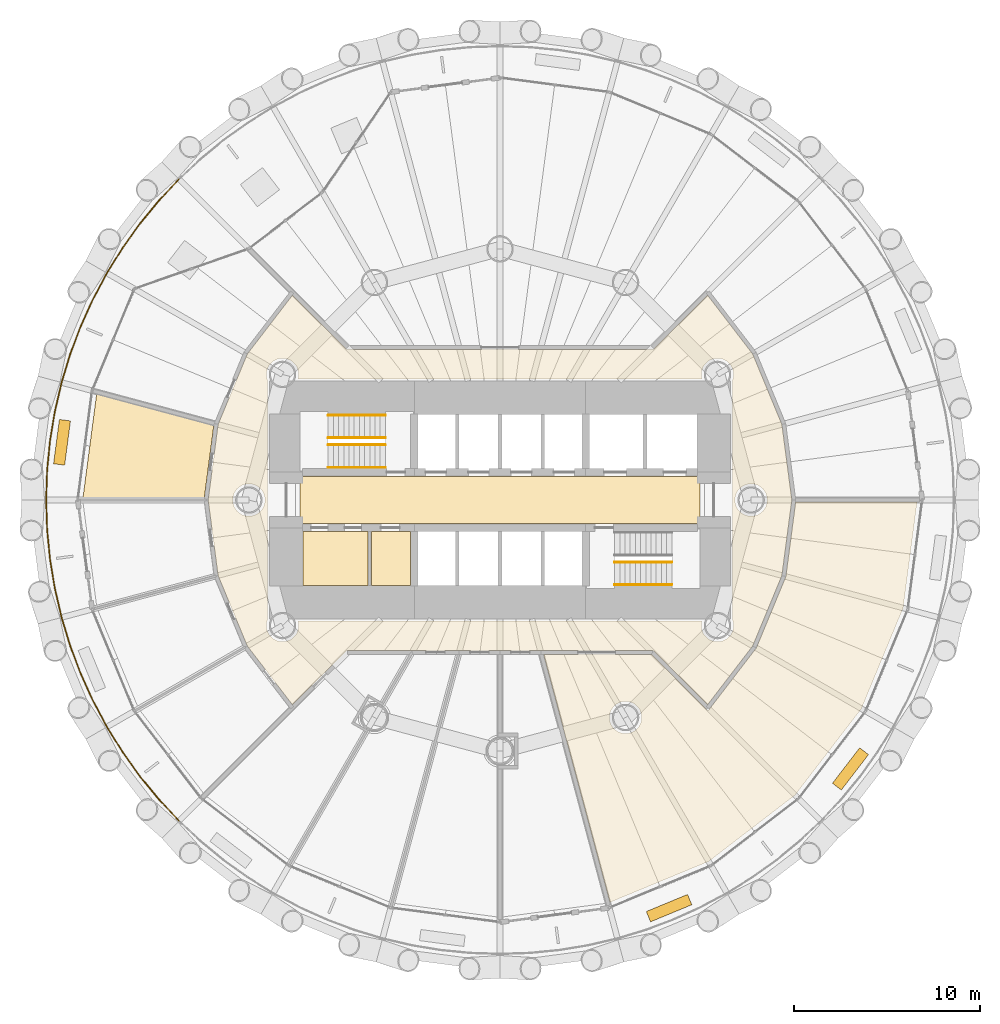
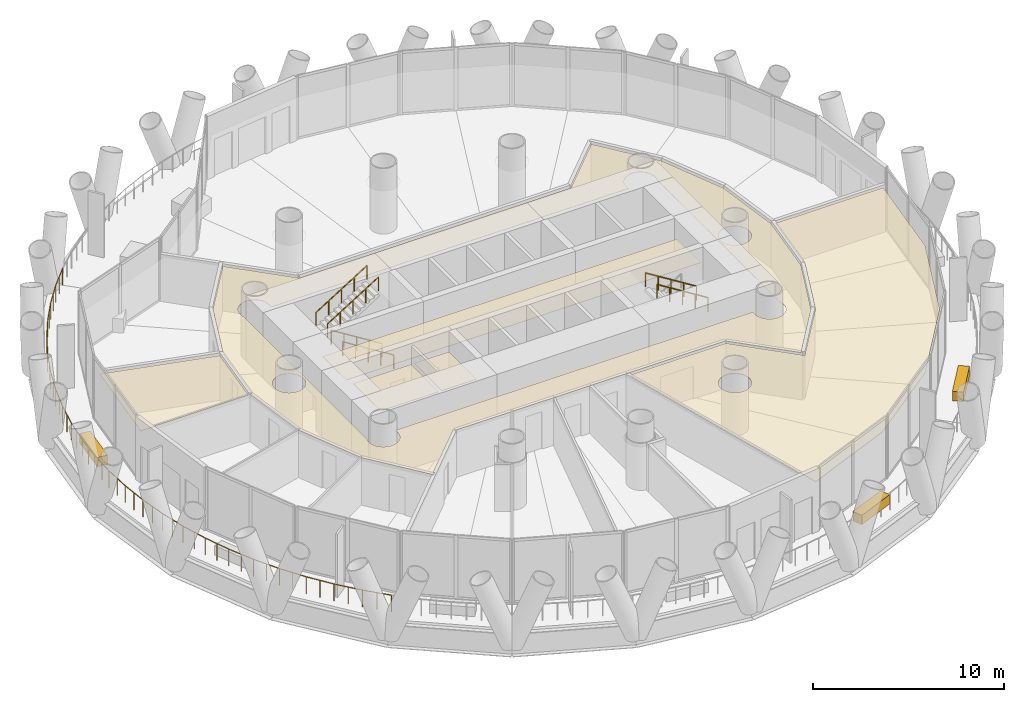
# One storey, part 12 of 14: 9 coverings, 7 railings.
"""IFC4 building model written with IfcOpenShell, lengths in metres."""

from ifc_helpers import new_model, si_unit, direction, frame, origin, origin_2d, place, context, subcontext, project, spatial, polyline, rectangle, circle, outline, extrude, material, layer, layer_set, type_object, element, save


model = new_model("IFC4")

# Units and contexts
model_context = context("Model", 3, precision=1e-05, world=origin(), true_north=direction((0.0, 1.0)))
body_context = subcontext(model_context, "Body", "Model", "MODEL_VIEW")
ifc_project = project(units=[si_unit("LENGTHUNIT", "METRE"), si_unit("AREAUNIT", "SQUARE_METRE"), si_unit("VOLUMEUNIT", "CUBIC_METRE"), si_unit("PLANEANGLEUNIT", "RADIAN"), si_unit("MASSUNIT", "GRAM", prefix="KILO")], contexts=[model_context])

# Site, building, storey
site_placement = place(None, origin())
site = spatial("IfcSite", under=ifc_project, at=site_placement, CompositionType="ELEMENT")
building_placement = place(site_placement, origin())
building = spatial("IfcBuilding", under=site, at=building_placement, Name="Qaws Media Tower", CompositionType="ELEMENT")
storey_placement = place(building_placement, frame((0.0, 0.0, 59.60009765625)))
storey = spatial("IfcBuildingStorey", under=building, at=storey_placement, Name="L12", CompositionType="ELEMENT", Elevation=59.60009765625)

# Covering
ifc_material_1 = material(Name="40 perforated acoustic panels with mineral wool backing, suspended", Category="mineral fibre")
ifc_layer_1 = layer(ifc_material_1, 0.0400390625)
ifc_layer_set_1 = layer_set([ifc_layer_1], Name="Acoustic panel ceiling 40")
covering_type_1 = type_object("IfcCoveringType", Name="Acoustic panel ceiling 40", PredefinedType="CEILING", material=ifc_layer_set_1)
covering_1_placement = place(storey_placement, frame((0.0, 0.0, 2.849853515625)))
element("IfcCovering", 1, at=covering_1_placement, inside=storey, type_object=covering_type_1, Name="CL3 ceiling L12-12 Newsroom", PredefinedType="CEILING", context=body_context, shape_type="SweptSolid", body=[
    extrude(outline(polyline([(81.6708984375, 44.193359375), (79.429443359375, 38.782470703125), (75.864013671875, 34.135986328125), (71.217529296875, 30.570556640625), (65.91162109375, 28.372802734375), (62.34375, 41.6875), (68.1533203125, 41.6875), (71.183349609375, 38.657470703125), (73.781494140625, 42.043212890625), (75.37109375, 45.88134765625), (75.898681640625, 49.887451171875), (82.42041015625, 49.887451171875), (81.6708984375, 44.193359375)]), holes=[polyline([(67.5546875, 37.975341796875), (67.59130859375, 38.083251953125), (67.613525390625, 38.195068359375), (67.62109375, 38.30859375), (67.613525390625, 38.42236328125), (67.59130859375, 38.5341796875), (67.5546875, 38.64208984375), (67.50439453125, 38.744140625), (67.44091796875, 38.8388671875), (67.365966796875, 38.924560546875), (67.2802734375, 38.999755859375), (67.185546875, 39.06298828125), (67.083251953125, 39.11328125), (66.975341796875, 39.14990234375), (66.86376953125, 39.172119140625), (66.75, 39.1796875), (66.63623046875, 39.172119140625), (66.524658203125, 39.14990234375), (66.416748046875, 39.11328125), (66.314453125, 39.06298828125), (66.2197265625, 38.999755859375), (66.134033203125, 38.924560546875), (66.05908203125, 38.8388671875), (65.99560546875, 38.744140625), (65.9453125, 38.64208984375), (65.90869140625, 38.5341796875), (65.886474609375, 38.42236328125), (65.87890625, 38.30859375), (65.886474609375, 38.195068359375), (65.90869140625, 38.083251953125), (65.9453125, 37.975341796875), (65.99560546875, 37.873291015625), (66.05908203125, 37.7783203125), (66.134033203125, 37.69287109375), (66.2197265625, 37.61767578125), (66.314453125, 37.55419921875), (66.416748046875, 37.50390625), (66.524658203125, 37.46728515625), (66.63623046875, 37.445068359375), (66.75, 37.437744140625), (66.86376953125, 37.445068359375), (66.975341796875, 37.46728515625), (67.083251953125, 37.50390625), (67.185546875, 37.55419921875), (67.2802734375, 37.61767578125), (67.365966796875, 37.69287109375), (67.44091796875, 37.7783203125), (67.50439453125, 37.873291015625), (67.5546875, 37.975341796875)])]), origin(), (0.0, 0.0, 1.0), 0.0400390625),
])

# Railing
ifc_material_2 = material(Name="Stainless steel and glass guard", Category="steel")
railing_type_1 = type_object("IfcRailingType", Name="Balcony guard 1100", PredefinedType="GUARDRAIL", material=ifc_material_2)
railing_placement = place(storey_placement, frame((42.74658203125, 67.25341796875, 0.0)))
element("IfcRailing", 2, at=railing_placement, inside=storey, type_object=railing_type_1, Name="GR1 balcony guard L12-2", PredefinedType="GUARDRAIL", context=body_context, shape_type="SweptSolid", body=[
    extrude(circle(Radius=0.02392578125, at=origin_2d()), frame((0.0, 0.0, 1.076171875), z_axis=(-0.683640981839, -0.729818476027, 0.0), x_axis=(0.729818476027, -0.683640981839, 0.0)), (0.0, 0.0, 1.0), 1.5966796875),
    extrude(circle(Radius=0.02392578125, at=origin_2d()), frame((-1.091552734375, -1.165283203125, 1.076171875), z_axis=(-0.634361127386, -0.773036842629, 0.0), x_axis=(0.773036842629, -0.634361127386, 0.0)), (0.0, 0.0, 1.0), 1.5966796875),
    extrude(circle(Radius=0.02392578125, at=origin_2d()), frame((-2.1044921875, -2.399658203125, 1.076171875), z_axis=(-0.582438119358, -0.812875043976, 0.0), x_axis=(0.812875043976, -0.582438119358, 0.0)), (0.0, 0.0, 1.0), 1.5966796875),
    extrude(circle(Radius=0.02392578125, at=origin_2d()), frame((-3.034423828125, -3.697509765625, 1.076171875), z_axis=(-0.528101023183, -0.849181552622, 0.0), x_axis=(0.849181552622, -0.528101023183, 0.0)), (0.0, 0.0, 1.0), 1.5966796875),
    extrude(circle(Radius=0.02392578125, at=origin_2d()), frame((-3.877685546875, -5.053466796875, 1.076171875), z_axis=(-0.471389573817, -0.881925093019, 0.0), x_axis=(0.881925093019, -0.471389573817, 0.0)), (0.0, 0.0, 1.0), 1.5966796875),
    extrude(circle(Radius=0.02392578125, at=origin_2d()), frame((-4.63037109375, -6.461669921875, 1.076171875), z_axis=(-0.412696679624, -0.910868514456, 0.0), x_axis=(0.910868514456, -0.412696679624, 0.0)), (0.0, 0.0, 1.0), 1.5966796875),
    extrude(circle(Radius=0.02392578125, at=origin_2d()), frame((-5.289306640625, -7.916015625, 1.076171875), z_axis=(-0.352145406881, -0.935945304178, 0.0), x_axis=(0.935945304178, -0.352145406881, 0.0)), (0.0, 0.0, 1.0), 1.5966796875),
    extrude(circle(Radius=0.02392578125, at=origin_2d()), frame((-5.8515625, -9.410400390625, 1.076171875), z_axis=(-0.290376596051, -0.956912447649, 0.0), x_axis=(0.956912447649, -0.290376596051, 0.0)), (0.0, 0.0, 1.0), 1.5966796875),
    extrude(circle(Radius=0.02392578125, at=origin_2d()), frame((-6.315185546875, -10.938232421875, 1.076171875), z_axis=(-0.227070097211, -0.973878416925, 0.0), x_axis=(0.973878416925, -0.227070097211, 0.0)), (0.0, 0.0, 1.0), 1.5966796875),
    extrude(circle(Radius=0.02392578125, at=origin_2d()), frame((-6.677734375, -12.4931640625, 1.076171875), z_axis=(-0.162836738606, -0.986653027442, 0.0), x_axis=(0.986653027442, -0.162836738606, 0.0)), (0.0, 0.0, 1.0), 1.5966796875),
    extrude(circle(Radius=0.02392578125, at=origin_2d()), frame((-6.937744140625, -14.068603515625, 1.076171875), z_axis=(-0.098019858359, -0.995184458966, 0.0), x_axis=(0.995184458966, -0.098019858359, 0.0)), (0.0, 0.0, 1.0), 1.596435546875),
    extrude(circle(Radius=0.02392578125, at=origin_2d()), frame((-7.09423828125, -15.657470703125, 1.076171875), z_axis=(-0.032719201604, -0.999464583588, 0.0), x_axis=(0.999464583588, -0.032719201604, 0.0)), (0.0, 0.0, 1.0), 1.596923828125),
    extrude(circle(Radius=0.02392578125, at=origin_2d()), frame((-7.146484375, -17.25341796875, 1.076171875), z_axis=(0.032719201604, -0.999464583588, 0.0), x_axis=(0.999464583588, 0.032719201604, 0.0)), (0.0, 0.0, 1.0), 1.596923828125),
    extrude(circle(Radius=0.02392578125, at=origin_2d()), frame((-7.09423828125, -18.849365234375, 1.076171875), z_axis=(0.098019858359, -0.995184458966, 0.0), x_axis=(0.995184458966, 0.098019858359, 0.0)), (0.0, 0.0, 1.0), 1.596435546875),
    extrude(circle(Radius=0.02392578125, at=origin_2d()), frame((-6.937744140625, -20.438232421875, 1.076171875), z_axis=(0.162836738606, -0.986653027442, 0.0), x_axis=(0.986653027442, 0.162836738606, 0.0)), (0.0, 0.0, 1.0), 1.5966796875),
    extrude(circle(Radius=0.02392578125, at=origin_2d()), frame((-6.677734375, -22.013671875, 1.076171875), z_axis=(0.227070097211, -0.973878416925, 0.0), x_axis=(0.973878416925, 0.227070097211, 0.0)), (0.0, 0.0, 1.0), 1.5966796875),
    extrude(circle(Radius=0.02392578125, at=origin_2d()), frame((-6.315185546875, -23.568603515625, 1.076171875), z_axis=(0.290376596051, -0.956912447649, 0.0), x_axis=(0.956912447649, 0.290376596051, 0.0)), (0.0, 0.0, 1.0), 1.5966796875),
    extrude(circle(Radius=0.02392578125, at=origin_2d()), frame((-5.8515625, -25.096435546875, 1.076171875), z_axis=(0.352145406881, -0.935945304178, 0.0), x_axis=(0.935945304178, 0.352145406881, 0.0)), (0.0, 0.0, 1.0), 1.5966796875),
    extrude(circle(Radius=0.02392578125, at=origin_2d()), frame((-5.289306640625, -26.5908203125, 1.076171875), z_axis=(0.412696679624, -0.910868514456, 0.0), x_axis=(0.910868514456, 0.412696679624, 0.0)), (0.0, 0.0, 1.0), 1.5966796875),
    extrude(circle(Radius=0.02392578125, at=origin_2d()), frame((-4.63037109375, -28.045166015625, 1.076171875), z_axis=(0.471389573817, -0.881925093019, 0.0), x_axis=(0.881925093019, 0.471389573817, 0.0)), (0.0, 0.0, 1.0), 1.5966796875),
    extrude(circle(Radius=0.02392578125, at=origin_2d()), frame((-3.877685546875, -29.453369140625, 1.076171875), z_axis=(0.528101023183, -0.849181552622, 0.0), x_axis=(0.849181552622, 0.528101023183, 0.0)), (0.0, 0.0, 1.0), 1.5966796875),
    extrude(circle(Radius=0.02392578125, at=origin_2d()), frame((-3.034423828125, -30.809326171875, 1.076171875), z_axis=(0.582438119358, -0.812875043976, 0.0), x_axis=(0.812875043976, 0.582438119358, 0.0)), (0.0, 0.0, 1.0), 1.5966796875),
    extrude(circle(Radius=0.02392578125, at=origin_2d()), frame((-2.1044921875, -32.107177734375, 1.076171875), z_axis=(0.634361127386, -0.773036842629, 0.0), x_axis=(0.773036842629, 0.634361127386, 0.0)), (0.0, 0.0, 1.0), 1.5966796875),
    extrude(circle(Radius=0.02392578125, at=origin_2d()), frame((-1.091552734375, -33.341552734375, 1.076171875), z_axis=(0.683640981839, -0.729818476027, 0.0), x_axis=(0.729818476027, 0.683640981839, 0.0)), (0.0, 0.0, 1.0), 1.5966796875),
    extrude(circle(Radius=0.02099609375, at=origin_2d()), origin(), (0.0, 0.0, 1.0), 1.052001953125),
    extrude(circle(Radius=0.02099609375, at=origin_2d()), frame((-0.5458984375, -0.58251953125, 0.0)), (0.0, 0.0, 1.0), 1.052001953125),
    extrude(circle(Radius=0.02099609375, at=origin_2d()), frame((-1.091552734375, -1.165283203125, 0.0)), (0.0, 0.0, 1.0), 1.052001953125),
    extrude(circle(Radius=0.02099609375, at=origin_2d()), frame((-1.59814453125, -1.782470703125, 0.0)), (0.0, 0.0, 1.0), 1.052001953125),
    extrude(circle(Radius=0.02099609375, at=origin_2d()), frame((-2.1044921875, -2.399658203125, 0.0)), (0.0, 0.0, 1.0), 1.052001953125),
    extrude(circle(Radius=0.02099609375, at=origin_2d()), frame((-2.5693359375, -3.048583984375, 0.0)), (0.0, 0.0, 1.0), 1.052001953125),
    extrude(circle(Radius=0.02099609375, at=origin_2d()), frame((-3.034423828125, -3.697509765625, 0.0)), (0.0, 0.0, 1.0), 1.052001953125),
    extrude(circle(Radius=0.02099609375, at=origin_2d()), frame((-3.4560546875, -4.37548828125, 0.0)), (0.0, 0.0, 1.0), 1.052001953125),
    extrude(circle(Radius=0.02099609375, at=origin_2d()), frame((-3.877685546875, -5.053466796875, 0.0)), (0.0, 0.0, 1.0), 1.052001953125),
    extrude(circle(Radius=0.02099609375, at=origin_2d()), frame((-4.25390625, -5.757568359375, 0.0)), (0.0, 0.0, 1.0), 1.052001953125),
    extrude(circle(Radius=0.02099609375, at=origin_2d()), frame((-4.63037109375, -6.461669921875, 0.0)), (0.0, 0.0, 1.0), 1.052001953125),
    extrude(circle(Radius=0.02099609375, at=origin_2d()), frame((-4.9599609375, -7.18896484375, 0.0)), (0.0, 0.0, 1.0), 1.052001953125),
    extrude(circle(Radius=0.02099609375, at=origin_2d()), frame((-5.289306640625, -7.916015625, 0.0)), (0.0, 0.0, 1.0), 1.052001953125),
    extrude(circle(Radius=0.02099609375, at=origin_2d()), frame((-5.5703125, -8.6630859375, 0.0)), (0.0, 0.0, 1.0), 1.052001953125),
    extrude(circle(Radius=0.02099609375, at=origin_2d()), frame((-5.8515625, -9.410400390625, 0.0)), (0.0, 0.0, 1.0), 1.052001953125),
    extrude(circle(Radius=0.02099609375, at=origin_2d()), frame((-6.08349609375, -10.17431640625, 0.0)), (0.0, 0.0, 1.0), 1.052001953125),
    extrude(circle(Radius=0.02099609375, at=origin_2d()), frame((-6.315185546875, -10.938232421875, 0.0)), (0.0, 0.0, 1.0), 1.052001953125),
    extrude(circle(Radius=0.02099609375, at=origin_2d()), frame((-6.49658203125, -11.7158203125, 0.0)), (0.0, 0.0, 1.0), 1.052001953125),
    extrude(circle(Radius=0.02099609375, at=origin_2d()), frame((-6.677734375, -12.4931640625, 0.0)), (0.0, 0.0, 1.0), 1.052001953125),
    extrude(circle(Radius=0.02099609375, at=origin_2d()), frame((-6.8076171875, -13.28076171875, 0.0)), (0.0, 0.0, 1.0), 1.052001953125),
    extrude(circle(Radius=0.02099609375, at=origin_2d()), frame((-6.937744140625, -14.068603515625, 0.0)), (0.0, 0.0, 1.0), 1.052001953125),
    extrude(circle(Radius=0.02099609375, at=origin_2d()), frame((-7.01611328125, -14.863037109375, 0.0)), (0.0, 0.0, 1.0), 1.052001953125),
    extrude(circle(Radius=0.02099609375, at=origin_2d()), frame((-7.09423828125, -15.657470703125, 0.0)), (0.0, 0.0, 1.0), 1.052001953125),
    extrude(circle(Radius=0.02099609375, at=origin_2d()), frame((-7.120361328125, -16.45556640625, 0.0)), (0.0, 0.0, 1.0), 1.052001953125),
    extrude(circle(Radius=0.02099609375, at=origin_2d()), frame((-7.146484375, -17.25341796875, 0.0)), (0.0, 0.0, 1.0), 1.052001953125),
    extrude(circle(Radius=0.02099609375, at=origin_2d()), frame((-7.120361328125, -18.05126953125, 0.0)), (0.0, 0.0, 1.0), 1.052001953125),
    extrude(circle(Radius=0.02099609375, at=origin_2d()), frame((-7.09423828125, -18.849365234375, 0.0)), (0.0, 0.0, 1.0), 1.052001953125),
    extrude(circle(Radius=0.02099609375, at=origin_2d()), frame((-7.01611328125, -19.643798828125, 0.0)), (0.0, 0.0, 1.0), 1.052001953125),
    extrude(circle(Radius=0.02099609375, at=origin_2d()), frame((-6.937744140625, -20.438232421875, 0.0)), (0.0, 0.0, 1.0), 1.052001953125),
    extrude(circle(Radius=0.02099609375, at=origin_2d()), frame((-6.8076171875, -21.22607421875, 0.0)), (0.0, 0.0, 1.0), 1.052001953125),
    extrude(circle(Radius=0.02099609375, at=origin_2d()), frame((-6.677734375, -22.013671875, 0.0)), (0.0, 0.0, 1.0), 1.052001953125),
    extrude(circle(Radius=0.02099609375, at=origin_2d()), frame((-6.49658203125, -22.791015625, 0.0)), (0.0, 0.0, 1.0), 1.052001953125),
    extrude(circle(Radius=0.02099609375, at=origin_2d()), frame((-6.315185546875, -23.568603515625, 0.0)), (0.0, 0.0, 1.0), 1.052001953125),
    extrude(circle(Radius=0.02099609375, at=origin_2d()), frame((-6.08349609375, -24.33251953125, 0.0)), (0.0, 0.0, 1.0), 1.052001953125),
    extrude(circle(Radius=0.02099609375, at=origin_2d()), frame((-5.8515625, -25.096435546875, 0.0)), (0.0, 0.0, 1.0), 1.052001953125),
    extrude(circle(Radius=0.02099609375, at=origin_2d()), frame((-5.5703125, -25.84375, 0.0)), (0.0, 0.0, 1.0), 1.052001953125),
    extrude(circle(Radius=0.02099609375, at=origin_2d()), frame((-5.289306640625, -26.5908203125, 0.0)), (0.0, 0.0, 1.0), 1.052001953125),
    extrude(circle(Radius=0.02099609375, at=origin_2d()), frame((-4.9599609375, -27.31787109375, 0.0)), (0.0, 0.0, 1.0), 1.052001953125),
    extrude(circle(Radius=0.02099609375, at=origin_2d()), frame((-4.63037109375, -28.045166015625, 0.0)), (0.0, 0.0, 1.0), 1.052001953125),
    extrude(circle(Radius=0.02099609375, at=origin_2d()), frame((-4.25390625, -28.749267578125, 0.0)), (0.0, 0.0, 1.0), 1.052001953125),
    extrude(circle(Radius=0.02099609375, at=origin_2d()), frame((-3.877685546875, -29.453369140625, 0.0)), (0.0, 0.0, 1.0), 1.052001953125),
    extrude(circle(Radius=0.02099609375, at=origin_2d()), frame((-3.4560546875, -30.13134765625, 0.0)), (0.0, 0.0, 1.0), 1.052001953125),
    extrude(circle(Radius=0.02099609375, at=origin_2d()), frame((-3.034423828125, -30.809326171875, 0.0)), (0.0, 0.0, 1.0), 1.052001953125),
    extrude(circle(Radius=0.02099609375, at=origin_2d()), frame((-2.5693359375, -31.458251953125, 0.0)), (0.0, 0.0, 1.0), 1.052001953125),
    extrude(circle(Radius=0.02099609375, at=origin_2d()), frame((-2.1044921875, -32.107177734375, 0.0)), (0.0, 0.0, 1.0), 1.052001953125),
    extrude(circle(Radius=0.02099609375, at=origin_2d()), frame((-1.59814453125, -32.724365234375, 0.0)), (0.0, 0.0, 1.0), 1.052001953125),
    extrude(circle(Radius=0.02099609375, at=origin_2d()), frame((-1.091552734375, -33.341552734375, 0.0)), (0.0, 0.0, 1.0), 1.052001953125),
    extrude(circle(Radius=0.02099609375, at=origin_2d()), frame((-0.5458984375, -33.92431640625, 0.0)), (0.0, 0.0, 1.0), 1.052001953125),
    extrude(circle(Radius=0.02099609375, at=origin_2d()), frame((0.0, -34.5068359375, 0.0)), (0.0, 0.0, 1.0), 1.052001953125),
])

# Coverings
ifc_material_3 = material(Name="600 x 600 mineral fibre tiles in exposed grid, suspended", Category="mineral fibre")
ifc_layer_2 = layer(ifc_material_3, 0.02001953125)
ifc_layer_set_2 = layer_set([ifc_layer_2], Name="Mineral fibre tile ceiling 20")
covering_type_2 = type_object("IfcCoveringType", Name="Mineral fibre tile ceiling 20", PredefinedType="CEILING", material=ifc_layer_set_2)
covering_2_placement = place(storey_placement, frame((0.0, 0.0, 2.849853515625)))
element("IfcCovering", 3, at=covering_2_placement, inside=storey, type_object=covering_type_2, Name="CL1 ceiling L12-01 Corridor", PredefinedType="CEILING", context=body_context, shape_type="SweptSolid", body=[
    extrude(outline(polyline([(44.847900390625, 45.93994140625), (44.3134765625, 50.0), (44.847900390625, 54.06005859375), (46.4150390625, 57.84326171875), (48.8388671875, 61.001953125), (51.75341796875, 58.08740234375), (68.24658203125, 58.08740234375), (71.1611328125, 61.001953125), (73.5849609375, 57.84326171875), (75.152099609375, 54.06005859375), (75.6865234375, 50.0), (75.152099609375, 45.93994140625), (73.5849609375, 42.15673828125), (71.1611328125, 38.998046875), (68.24658203125, 41.91259765625), (51.75341796875, 41.91259765625), (48.8388671875, 38.998046875), (46.4150390625, 42.15673828125), (44.847900390625, 45.93994140625)]), holes=[polyline([(49.14599609375, 56.512451171875), (49.14990234375, 56.524658203125), (49.172119140625, 56.63623046875), (49.1796875, 56.75), (49.172119140625, 56.86376953125), (49.14990234375, 56.975341796875), (49.11328125, 57.083251953125), (49.06298828125, 57.185546875), (48.999755859375, 57.2802734375), (48.924560546875, 57.365966796875), (48.8388671875, 57.44091796875), (48.744140625, 57.50439453125), (48.64208984375, 57.5546875), (48.5341796875, 57.59130859375), (48.42236328125, 57.613525390625), (48.30859375, 57.62109375), (48.195068359375, 57.613525390625), (48.083251953125, 57.59130859375), (47.975341796875, 57.5546875), (47.873291015625, 57.50439453125), (47.7783203125, 57.44091796875), (47.69287109375, 57.365966796875), (47.61767578125, 57.2802734375), (47.55419921875, 57.185546875), (47.50390625, 57.083251953125), (47.46728515625, 56.975341796875), (47.445068359375, 56.86376953125), (47.437744140625, 56.75), (47.445068359375, 56.63623046875), (47.46728515625, 56.524658203125), (47.487548828125, 56.465087890625), (47.487548828125, 43.534912109375), (47.46728515625, 43.475341796875), (47.445068359375, 43.36376953125), (47.437744140625, 43.25), (47.445068359375, 43.13623046875), (47.46728515625, 43.024658203125), (47.50390625, 42.916748046875), (47.55419921875, 42.814453125), (47.61767578125, 42.7197265625), (47.69287109375, 42.634033203125), (47.7783203125, 42.55908203125), (47.873291015625, 42.49560546875), (47.975341796875, 42.4453125), (48.083251953125, 42.40869140625), (48.195068359375, 42.386474609375), (48.30859375, 42.37890625), (48.42236328125, 42.386474609375), (48.5341796875, 42.40869140625), (48.64208984375, 42.4453125), (48.744140625, 42.49560546875), (48.8388671875, 42.55908203125), (48.924560546875, 42.634033203125), (48.999755859375, 42.7197265625), (49.06298828125, 42.814453125), (49.11328125, 42.916748046875), (49.14990234375, 43.024658203125), (49.172119140625, 43.13623046875), (49.1796875, 43.25), (49.172119140625, 43.36376953125), (49.14990234375, 43.475341796875), (49.14599609375, 43.487548828125), (70.85400390625, 43.487548828125), (70.85009765625, 43.475341796875), (70.827880859375, 43.36376953125), (70.8203125, 43.25), (70.827880859375, 43.13623046875), (70.85009765625, 43.024658203125), (70.88671875, 42.916748046875), (70.93701171875, 42.814453125), (71.000244140625, 42.7197265625), (71.075439453125, 42.634033203125), (71.1611328125, 42.55908203125), (71.255859375, 42.49560546875), (71.35791015625, 42.4453125), (71.4658203125, 42.40869140625), (71.57763671875, 42.386474609375), (71.69140625, 42.37890625), (71.804931640625, 42.386474609375), (71.916748046875, 42.40869140625), (72.024658203125, 42.4453125), (72.126708984375, 42.49560546875), (72.2216796875, 42.55908203125), (72.30712890625, 42.634033203125), (72.38232421875, 42.7197265625), (72.44580078125, 42.814453125), (72.49609375, 42.916748046875), (72.53271484375, 43.024658203125), (72.554931640625, 43.13623046875), (72.562255859375, 43.25), (72.554931640625, 43.36376953125), (72.53271484375, 43.475341796875), (72.512451171875, 43.534912109375), (72.512451171875, 56.465087890625), (72.53271484375, 56.524658203125), (72.554931640625, 56.63623046875), (72.562255859375, 56.75), (72.554931640625, 56.86376953125), (72.53271484375, 56.975341796875), (72.49609375, 57.083251953125), (72.44580078125, 57.185546875), (72.38232421875, 57.2802734375), (72.30712890625, 57.365966796875), (72.2216796875, 57.44091796875), (72.126708984375, 57.50439453125), (72.024658203125, 57.5546875), (71.916748046875, 57.59130859375), (71.804931640625, 57.613525390625), (71.69140625, 57.62109375), (71.57763671875, 57.613525390625), (71.4658203125, 57.59130859375), (71.35791015625, 57.5546875), (71.255859375, 57.50439453125), (71.1611328125, 57.44091796875), (71.075439453125, 57.365966796875), (71.000244140625, 57.2802734375), (70.93701171875, 57.185546875), (70.88671875, 57.083251953125), (70.85009765625, 56.975341796875), (70.827880859375, 56.86376953125), (70.8203125, 56.75), (70.827880859375, 56.63623046875), (70.85009765625, 56.524658203125), (70.85400390625, 56.512451171875), (49.14599609375, 56.512451171875)]), polyline([(47.3046875, 49.666748046875), (47.34130859375, 49.774658203125), (47.363525390625, 49.88623046875), (47.37109375, 50.0), (47.363525390625, 50.11376953125), (47.34130859375, 50.225341796875), (47.3046875, 50.333251953125), (47.25439453125, 50.435546875), (47.19091796875, 50.5302734375), (47.115966796875, 50.615966796875), (47.0302734375, 50.69091796875), (46.935546875, 50.75439453125), (46.833251953125, 50.8046875), (46.725341796875, 50.84130859375), (46.61376953125, 50.863525390625), (46.5, 50.87109375), (46.38623046875, 50.863525390625), (46.274658203125, 50.84130859375), (46.166748046875, 50.8046875), (46.064453125, 50.75439453125), (45.9697265625, 50.69091796875), (45.884033203125, 50.615966796875), (45.80908203125, 50.5302734375), (45.74560546875, 50.435546875), (45.6953125, 50.333251953125), (45.65869140625, 50.225341796875), (45.636474609375, 50.11376953125), (45.62890625, 50.0), (45.636474609375, 49.88623046875), (45.65869140625, 49.774658203125), (45.6953125, 49.666748046875), (45.74560546875, 49.564453125), (45.80908203125, 49.4697265625), (45.884033203125, 49.384033203125), (45.9697265625, 49.30908203125), (46.064453125, 49.24560546875), (46.166748046875, 49.1953125), (46.274658203125, 49.15869140625), (46.38623046875, 49.136474609375), (46.5, 49.12890625), (46.61376953125, 49.136474609375), (46.725341796875, 49.15869140625), (46.833251953125, 49.1953125), (46.935546875, 49.24560546875), (47.0302734375, 49.30908203125), (47.115966796875, 49.384033203125), (47.19091796875, 49.4697265625), (47.25439453125, 49.564453125), (47.3046875, 49.666748046875)]), polyline([(74.34130859375, 49.774658203125), (74.363525390625, 49.88623046875), (74.37109375, 50.0), (74.363525390625, 50.11376953125), (74.34130859375, 50.225341796875), (74.3046875, 50.333251953125), (74.25439453125, 50.435546875), (74.19091796875, 50.5302734375), (74.115966796875, 50.615966796875), (74.0302734375, 50.69091796875), (73.935546875, 50.75439453125), (73.833251953125, 50.8046875), (73.725341796875, 50.84130859375), (73.61376953125, 50.863525390625), (73.5, 50.87109375), (73.38623046875, 50.863525390625), (73.274658203125, 50.84130859375), (73.166748046875, 50.8046875), (73.064453125, 50.75439453125), (72.9697265625, 50.69091796875), (72.884033203125, 50.615966796875), (72.80908203125, 50.5302734375), (72.74560546875, 50.435546875), (72.6953125, 50.333251953125), (72.65869140625, 50.225341796875), (72.636474609375, 50.11376953125), (72.62890625, 50.0), (72.636474609375, 49.88623046875), (72.65869140625, 49.774658203125), (72.6953125, 49.666748046875), (72.74560546875, 49.564453125), (72.80908203125, 49.4697265625), (72.884033203125, 49.384033203125), (72.9697265625, 49.30908203125), (73.064453125, 49.24560546875), (73.166748046875, 49.1953125), (73.274658203125, 49.15869140625), (73.38623046875, 49.136474609375), (73.5, 49.12890625), (73.61376953125, 49.136474609375), (73.725341796875, 49.15869140625), (73.833251953125, 49.1953125), (73.935546875, 49.24560546875), (74.0302734375, 49.30908203125), (74.115966796875, 49.384033203125), (74.19091796875, 49.4697265625), (74.25439453125, 49.564453125), (74.3046875, 49.666748046875), (74.34130859375, 49.774658203125)])]), origin(), (0.0, 0.0, 1.0), 0.02001953125),
])
covering_3_placement = place(storey_placement, frame((0.0, 0.0, 2.849853515625)))
element("IfcCovering", 4, at=covering_3_placement, inside=storey, type_object=covering_type_2, Name="CL1 ceiling L12-C04 Mothers' room", PredefinedType="CEILING", context=body_context, shape_type="SweptSolid", body=[
    extrude(outline(polyline([(49.39990234375, 45.39990234375), (49.39990234375, 48.300048828125), (52.89990234375, 48.300048828125), (52.89990234375, 45.39990234375), (49.39990234375, 45.39990234375)])), origin(), (0.0, 0.0, 1.0), 0.02001953125),
])
ifc_material_4 = material(Name="Precast concrete planter with trailing planting", Category="concrete")
ifc_layer_3 = layer(ifc_material_4, 0.60009765625)
ifc_layer_set_3 = layer_set([ifc_layer_3], Name="Planter 2400x600")
covering_type_3 = type_object("IfcCoveringType", Name="Planter 2400x600", PredefinedType="USERDEFINED", material=ifc_layer_set_3)
for number, where, z_axis, x_axis, name in (
    (5, (36.453125, 53.10009765625, -0.000244140625), (0.0, 0.0, 1.0), (-0.13052619222, -0.991444861374, 0.0), "PL1 balcony planter L12-06"),
    (6, (69.088623046875, 28.057861328125, -0.000244140625), (0.0, 0.0, 1.0), (0.923879532511, 0.382683432365, 0.0), "PL1 balcony planter L12-10"),
    (7, (78.842041015625, 35.5419921875, -0.000244140625), (0.0, 0.0, 1.0), (0.608761429009, 0.793353340291, 0.0), "PL1 balcony planter L12-11"),
):
    element("IfcCovering", number, at=place(storey_placement, frame(where, z_axis=z_axis, x_axis=x_axis)), inside=storey, type_object=covering_type_3, Name=name, ObjectType="PLANTER", PredefinedType="USERDEFINED", context=body_context, shape_type="SweptSolid", body=[
        extrude(rectangle(XDim=2.39990234375, YDim=0.60009765625, at=origin_2d()), origin(), (0.0, 0.0, 1.0), 0.60009765625),
    ])
ifc_material_5 = material(Name="Two layers 12.5 moisture-resistant plasterboard on suspended metal furring", Category="gypsum")
ifc_layer_4 = layer(ifc_material_5, 0.02490234375)
ifc_layer_set_4 = layer_set([ifc_layer_4], Name="Plasterboard ceiling 25")
covering_type_4 = type_object("IfcCoveringType", Name="Plasterboard ceiling 25", PredefinedType="CEILING", material=ifc_layer_set_4)
covering_4_placement = place(storey_placement, frame((0.0, 0.0, 2.849853515625)))
element("IfcCovering", 8, at=covering_4_placement, inside=storey, type_object=covering_type_4, Name="CL2 ceiling L12-C01 Lift lobby", PredefinedType="CEILING", context=body_context, shape_type="SweptSolid", body=[
    extrude(outline(polyline([(49.25, 48.75), (49.25, 51.25), (70.75, 51.25), (70.75, 48.75), (49.25, 48.75)])), origin(), (0.0, 0.0, 1.0), 0.025146484375),
])
covering_5_placement = place(storey_placement, frame((0.0, 0.0, 2.849853515625)))
element("IfcCovering", 9, at=covering_5_placement, inside=storey, type_object=covering_type_4, Name="CL2 ceiling L12-04 Editor's office", PredefinedType="CEILING", context=body_context, shape_type="SweptSolid", body=[
    extrude(outline(polyline([(38.314453125, 55.694091796875), (44.614013671875, 54.006103515625), (44.101318359375, 50.112548828125), (37.57958984375, 50.112548828125), (38.314453125, 55.694091796875)])), origin(), (0.0, 0.0, 1.0), 0.025146484375),
])
covering_6_placement = place(storey_placement, frame((0.0, 0.0, 2.849853515625)))
element("IfcCovering", 10, at=covering_6_placement, inside=storey, type_object=covering_type_4, Name="CL2 ceiling L12-C05 Accessible WC", PredefinedType="CEILING", context=body_context, shape_type="SweptSolid", body=[
    extrude(outline(polyline([(53.10009765625, 45.39990234375), (53.10009765625, 48.300048828125), (55.199951171875, 48.300048828125), (55.199951171875, 45.39990234375), (53.10009765625, 45.39990234375)])), origin(), (0.0, 0.0, 1.0), 0.025146484375),
])

# Railings
ifc_material_6 = material(Name="Steel tube handrail", Category="steel")
railing_type_2 = type_object("IfcRailingType", Name="Stair handrail 900", PredefinedType="HANDRAIL", material=ifc_material_6)
for number, where, name in (
    (11, (53.840087890625, 51.75, 0.1748046875), "HR1 handrail S1 flight 1 L12"),
    (12, (53.840087890625, 52.9599609375, 0.1748046875), "HR1 handrail S1 flight 1 L12"),
):
    element("IfcRailing", number, at=place(storey_placement, frame(where)), inside=storey, type_object=railing_type_2, Name=name, PredefinedType="HANDRAIL", context=body_context, shape_type="SweptSolid", body=[
        extrude(circle(Radius=0.02392578125, at=origin_2d()), frame((0.0, 0.0, 0.8759765625), z_axis=(-0.847998304005, 0.0, 0.529998940003), x_axis=(0.0, -1.0, 0.0)), (0.0, 0.0, 1.0), 3.632080078125),
        extrude(circle(Radius=0.02099609375, at=origin_2d()), origin(), (0.0, 0.0, 1.0), 0.851806640625),
        extrude(circle(Radius=0.02099609375, at=origin_2d()), frame((-0.77001953125, 0.0, 0.481201171875)), (0.0, 0.0, 1.0), 0.851806640625),
        extrude(circle(Radius=0.02099609375, at=origin_2d()), frame((-1.5400390625, 0.0, 0.96240234375)), (0.0, 0.0, 1.0), 0.851806640625),
        extrude(circle(Radius=0.02099609375, at=origin_2d()), frame((-2.31005859375, 0.0, 1.44384765625)), (0.0, 0.0, 1.0), 0.851806640625),
        extrude(circle(Radius=0.02099609375, at=origin_2d()), frame((-3.080078125, 0.0, 1.925048828125)), (0.0, 0.0, 1.0), 0.851806640625),
    ])
for number, where, name in (
    (13, (50.760009765625, 54.550048828125, 2.27490234375), "HR1 handrail S1 flight 2 L12"),
    (14, (50.760009765625, 53.340087890625, 2.27490234375), "HR1 handrail S1 flight 2 L12"),
):
    element("IfcRailing", number, at=place(storey_placement, frame(where)), inside=storey, type_object=railing_type_2, Name=name, PredefinedType="HANDRAIL", context=body_context, shape_type="SweptSolid", body=[
        extrude(circle(Radius=0.02392578125, at=origin_2d()), frame((0.0, 0.0, 0.8759765625), z_axis=(0.847998304005, 0.0, 0.529998940003), x_axis=(0.0, 1.0, 0.0)), (0.0, 0.0, 1.0), 3.632080078125),
        extrude(circle(Radius=0.02099609375, at=origin_2d()), origin(), (0.0, 0.0, 1.0), 0.851806640625),
        extrude(circle(Radius=0.02099609375, at=origin_2d()), frame((0.77001953125, 0.0, 0.481201171875)), (0.0, 0.0, 1.0), 0.851806640625),
        extrude(circle(Radius=0.02099609375, at=origin_2d()), frame((1.5400390625, 0.0, 0.96240234375)), (0.0, 0.0, 1.0), 0.851806640625),
        extrude(circle(Radius=0.02099609375, at=origin_2d()), frame((2.31005859375, 0.0, 1.44384765625)), (0.0, 0.0, 1.0), 0.851806640625),
        extrude(circle(Radius=0.02099609375, at=origin_2d()), frame((3.080078125, 0.0, 1.925048828125)), (0.0, 0.0, 1.0), 0.851806640625),
    ])
for number, where, name in (
    (15, (69.239990234375, 45.449951171875, 2.27490234375), "HR1 handrail S2 flight 2 L12"),
    (16, (69.239990234375, 46.659912109375, 2.27490234375), "HR1 handrail S2 flight 2 L12"),
):
    element("IfcRailing", number, at=place(storey_placement, frame(where)), inside=storey, type_object=railing_type_2, Name=name, PredefinedType="HANDRAIL", context=body_context, shape_type="SweptSolid", body=[
        extrude(circle(Radius=0.02392578125, at=origin_2d()), frame((0.0, 0.0, 0.8759765625), z_axis=(-0.847998304005, 0.0, 0.529998940003), x_axis=(0.0, -1.0, 0.0)), (0.0, 0.0, 1.0), 3.632080078125),
        extrude(circle(Radius=0.02099609375, at=origin_2d()), origin(), (0.0, 0.0, 1.0), 0.851806640625),
        extrude(circle(Radius=0.02099609375, at=origin_2d()), frame((-0.77001953125, 0.0, 0.481201171875)), (0.0, 0.0, 1.0), 0.851806640625),
        extrude(circle(Radius=0.02099609375, at=origin_2d()), frame((-1.5400390625, 0.0, 0.96240234375)), (0.0, 0.0, 1.0), 0.851806640625),
        extrude(circle(Radius=0.02099609375, at=origin_2d()), frame((-2.31005859375, 0.0, 1.44384765625)), (0.0, 0.0, 1.0), 0.851806640625),
        extrude(circle(Radius=0.02099609375, at=origin_2d()), frame((-3.080078125, 0.0, 1.925048828125)), (0.0, 0.0, 1.0), 0.851806640625),
    ])

save(model, "model.ifc")
